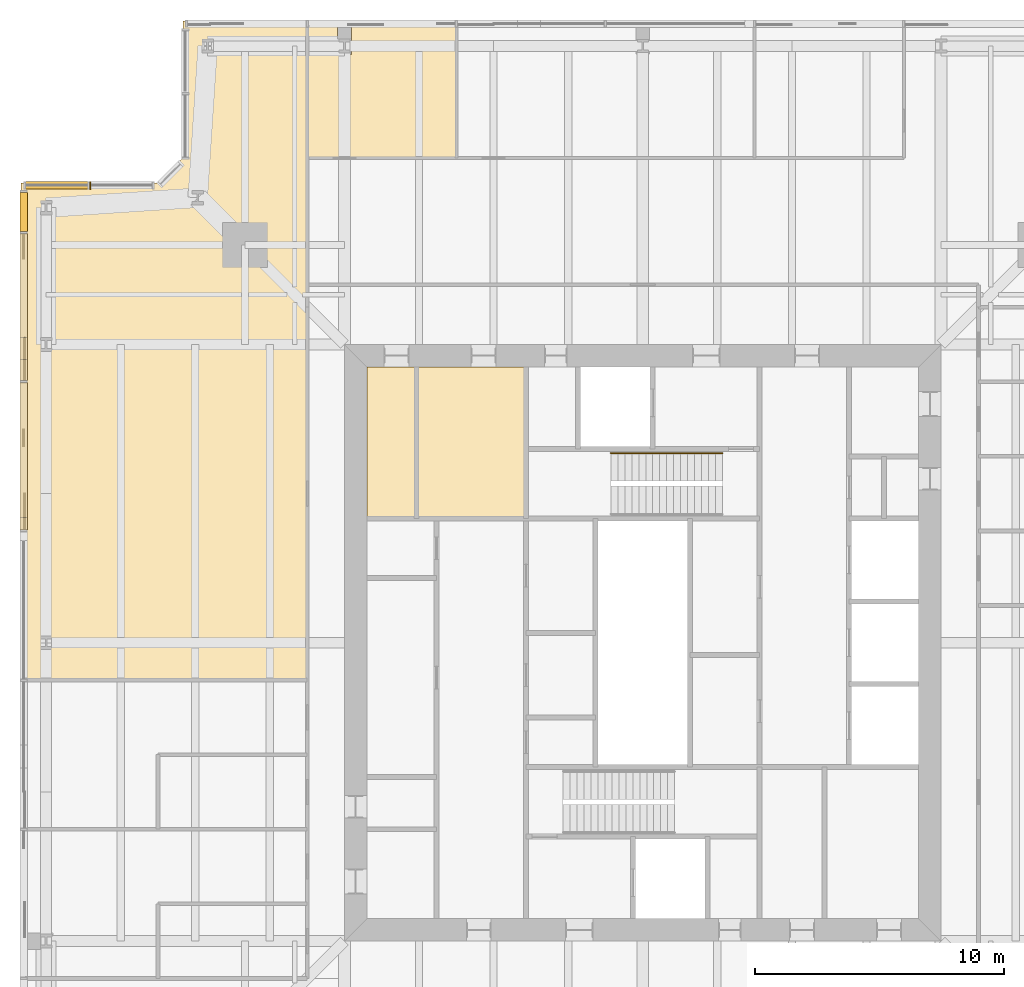
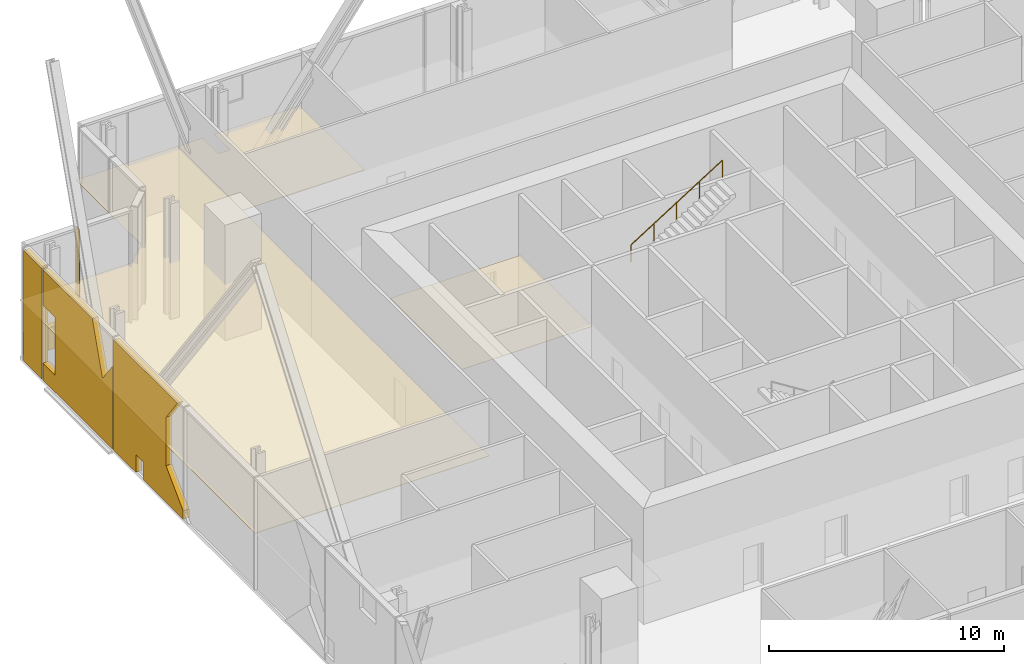
# One storey, part 17 of 20: 9 coverings, 1 railing.
"""IFC4 building model written with IfcOpenShell, lengths in metres."""

from ifc_helpers import new_model, si_unit, direction, frame, origin, origin_2d, place, context, subcontext, project, spatial, polyline, circle, outline, extrude, material, layer, layer_set, type_object, element, save


model = new_model("IFC4")

# Units and contexts
model_context = context("Model", 3, precision=1e-05, world=origin(), true_north=direction((0.0, 1.0)))
body_context = subcontext(model_context, "Body", "Model", "MODEL_VIEW")
ifc_project = project(units=[si_unit("LENGTHUNIT", "METRE"), si_unit("AREAUNIT", "SQUARE_METRE"), si_unit("VOLUMEUNIT", "CUBIC_METRE"), si_unit("PLANEANGLEUNIT", "RADIAN"), si_unit("MASSUNIT", "GRAM", prefix="KILO")], contexts=[model_context])

# Site, building, storey
site_placement = place(None, origin())
site = spatial("IfcSite", under=ifc_project, at=site_placement, CompositionType="ELEMENT")
building_placement = place(site_placement, origin())
building = spatial("IfcBuilding", under=site, at=building_placement, Name="Fenwick Lantern Interchange", CompositionType="ELEMENT")
storey_placement = place(building_placement, frame((0.0, 0.0, 239.800048828125)))
storey = spatial("IfcBuildingStorey", under=building, at=storey_placement, Name="L56", CompositionType="ELEMENT", Elevation=239.800048828125)

# Coverings
ifc_material_1 = material(Name="Mineral fibre acoustic tile on suspended grid")
ifc_layer_1 = layer(ifc_material_1, 0.02001953125)
ifc_layer_set_1 = layer_set([ifc_layer_1], Name="ACOUSTIC TILE CEILING 20")
covering_type_1 = type_object("IfcCoveringType", Name="ACOUSTIC TILE CEILING 20", PredefinedType="CEILING", material=ifc_layer_set_1)
covering_1_placement = place(storey_placement, frame((0.0, 0.0, 2.89990234375)))
element("IfcCovering", 1, at=covering_1_placement, inside=storey, type_object=covering_type_1, Name="Staff room ceiling", PredefinedType="CEILING", context=body_context, shape_type="SweptSolid", body=[
    extrude(outline(polyline([(17.5, 50.0), (13.27734375, 50.0), (13.27734375, 48.66552734375), (12.72265625, 48.66552734375), (12.72265625, 50.0), (11.5, 50.0), (11.5, 44.5), (17.5, 44.5), (17.5, 50.0)])), origin(), (0.0, 0.0, 1.0), 0.02001953125),
])
covering_2_placement = place(storey_placement, frame((0.0, 0.0, 2.89990234375)))
element("IfcCovering", 2, at=covering_2_placement, inside=storey, type_object=covering_type_1, Name="Hotel administration office ceiling", PredefinedType="CEILING", context=body_context, shape_type="SweptSolid", body=[
    extrude(outline(polyline([(0.0, 43.5), (0.0, 23.5), (11.5, 23.5), (11.5, 50.0), (6.5, 50.0), (6.5, 44.5), (5.5, 43.5), (0.0, 43.5)])), origin(), (0.0, 0.0, 1.0), 0.02001953125),
])
ifc_material_2 = material(Name="Granite cladding, warm grey flamed finish, on aluminium carrier frame", Category="masonry")
ifc_layer_2 = layer(ifc_material_2, 0.300048828125)
ifc_layer_set_2 = layer_set([ifc_layer_2], Name="BRACE CASING PANEL 300")
covering_type_2 = type_object("IfcCoveringType", Name="BRACE CASING PANEL 300", PredefinedType="CLADDING", material=ifc_layer_set_2)
covering_3_placement = place(storey_placement, frame((5.54150390625, 43.39990234375, 0.0), z_axis=(0.0, 0.0, 1.0), x_axis=(-1.0, 0.0, 0.0)))
element("IfcCovering", 3, at=covering_3_placement, inside=storey, type_object=covering_type_2, Name="Brace casing 12 bay 00a", PredefinedType="CLADDING", context=body_context, shape_type="SweptSolid", body=[
    extrude(outline(polyline([(2.741455078125, 0.0), (2.78076171875, 0.0), (2.78076171875, 5.72998046875), (2.741455078125, 5.72998046875), (2.741455078125, 0.0)])), frame((0.0, 0.14990234375, 0.0), z_axis=(0.0, -1.0, 0.0), x_axis=(1.0, 0.0, 0.0)), (0.0, 0.0, 1.0), 0.300048828125),
])
covering_4_placement = place(storey_placement, frame((5.54150390625, 43.39990234375, 0.0), z_axis=(0.0, 0.0, 1.0), x_axis=(-1.0, 0.0, 0.0)))
element("IfcCovering", 4, at=covering_4_placement, inside=storey, type_object=covering_type_2, Name="Brace casing 12 bay 01a", PredefinedType="CLADDING", context=body_context, shape_type="SweptSolid", body=[
    extrude(outline(polyline([(2.860595703125, 0.0), (5.361328125, 0.0), (5.361328125, 1.14990234375), (2.860595703125, 1.14990234375), (2.860595703125, 0.0)])), frame((0.0, 0.14990234375, 0.0), z_axis=(0.0, -1.0, 0.0), x_axis=(1.0, 0.0, 0.0)), (0.0, 0.0, 1.0), 0.300048828125),
])
covering_5_placement = place(storey_placement, frame((0.10009765625, 43.39990234375, 0.0), z_axis=(0.0, 0.0, 1.0), x_axis=(0.0, -1.0, 0.0)))
element("IfcCovering", 5, at=covering_5_placement, inside=storey, type_object=covering_type_2, Name="Brace casing 13 bay 00a", PredefinedType="CLADDING", context=body_context, shape_type="SweptSolid", body=[
    extrude(outline(polyline([(0.280029296875, 0.0), (1.860107421875, 0.0), (1.860107421875, 5.72998046875), (0.280029296875, 5.72998046875), (0.280029296875, 0.0)])), frame((0.0, 0.14990234375, 0.0), z_axis=(0.0, -1.0, 0.0), x_axis=(1.0, 0.0, 0.0)), (0.0, 0.0, 1.0), 0.300048828125),
])
covering_6_placement = place(storey_placement, frame((0.10009765625, 43.39990234375, 0.0), z_axis=(0.0, 0.0, 1.0), x_axis=(0.0, -1.0, 0.0)))
element("IfcCovering", 6, at=covering_6_placement, inside=storey, type_object=covering_type_2, Name="Brace casing 13 bay 01a", PredefinedType="CLADDING", context=body_context, shape_type="SweptSolid", body=[
    extrude(outline(polyline([(1.93994140625, 0.0), (7.860107421875, 0.0), (7.860107421875, 4.320068359375), (7.0, 3.152587890625), (6.1298828125, 5.72998046875), (1.93994140625, 5.72998046875), (1.93994140625, 3.8798828125), (2.955078125, 3.8798828125), (2.955078125, 0.879150390625), (1.93994140625, 0.879150390625), (1.93994140625, 0.0)])), frame((0.0, 0.14990234375, 0.0), z_axis=(0.0, -1.0, 0.0), x_axis=(1.0, 0.0, 0.0)), (0.0, 0.0, 1.0), 0.300048828125),
])
covering_7_placement = place(storey_placement, frame((0.10009765625, 43.39990234375, 0.0), z_axis=(0.0, 0.0, 1.0), x_axis=(0.0, -1.0, 0.0)))
element("IfcCovering", 7, at=covering_7_placement, inside=storey, type_object=covering_type_2, Name="Brace casing 13 bay 02a", PredefinedType="CLADDING", context=body_context, shape_type="SweptSolid", body=[
    extrude(outline(polyline([(7.93994140625, 0.0), (9.8291015625, 0.0), (9.8291015625, 0.923095703125), (10.504150390625, 0.923095703125), (10.504150390625, 0.0), (13.860107421875, 0.0), (13.860107421875, 0.435546875), (12.39990234375, 1.8955078125), (12.39990234375, 4.413330078125), (13.36962890625, 5.72998046875), (7.93994140625, 5.72998046875), (7.93994140625, 0.0)])), frame((0.0, 0.14990234375, 0.0), z_axis=(0.0, -1.0, 0.0), x_axis=(1.0, 0.0, 0.0)), (0.0, 0.0, 1.0), 0.300048828125),
])

# Railing
ifc_material_3 = material(Name="Stainless steel handrail", Category="steel")
railing_type = type_object("IfcRailingType", Name="HANDRAIL 900", PredefinedType="HANDRAIL", material=ifc_material_3)
railing_placement = place(storey_placement, frame((23.719970703125, 32.6259765625, 3.176513671875)))
element("IfcRailing", 8, at=railing_placement, inside=storey, type_object=railing_type, Name="L56/STAIR/ST2/HR2", PredefinedType="HANDRAIL", context=body_context, shape_type="SweptSolid", body=[
    extrude(circle(Radius=0.02392578125, at=origin_2d()), frame((0.0, 0.0, 0.8759765625), z_axis=(0.845997938375, 0.0, 0.533186166611), x_axis=(0.0, 1.0, 0.0)), (0.0, 0.0, 1.0), 5.29541015625),
    extrude(circle(Radius=0.02099609375, at=origin_2d()), origin(), (0.0, 0.0, 1.0), 0.851806640625),
    extrude(circle(Radius=0.02099609375, at=origin_2d()), frame((1.1201171875, 0.0, 0.705810546875)), (0.0, 0.0, 1.0), 0.851806640625),
    extrude(circle(Radius=0.02099609375, at=origin_2d()), frame((2.239990234375, 0.0, 1.41162109375)), (0.0, 0.0, 1.0), 0.851806640625),
    extrude(circle(Radius=0.02099609375, at=origin_2d()), frame((3.35986328125, 0.0, 2.11767578125)), (0.0, 0.0, 1.0), 0.851806640625),
    extrude(circle(Radius=0.02099609375, at=origin_2d()), frame((4.47998046875, 0.0, 2.823486328125)), (0.0, 0.0, 1.0), 0.851806640625),
])

# Coverings
ifc_material_4 = material(Name="Moisture resistant gypsum board on suspended frame, painted")
ifc_layer_3 = layer(ifc_material_4, 0.014892578125)
ifc_layer_set_3 = layer_set([ifc_layer_3], Name="MOISTURE RESISTANT CEILING 15")
covering_type_3 = type_object("IfcCoveringType", Name="MOISTURE RESISTANT CEILING 15", PredefinedType="CEILING", material=ifc_layer_set_3)
covering_8_placement = place(storey_placement, frame((0.0, 0.0, 2.599853515625)))
element("IfcCovering", 9, at=covering_8_placement, inside=storey, type_object=covering_type_3, Name="Women's WC ceiling", PredefinedType="CEILING", context=body_context, shape_type="SweptSolid", body=[
    extrude(outline(polyline([(20.300048828125, 36.10009765625), (15.89990234375, 36.10009765625), (15.89990234375, 30.0), (20.300048828125, 30.0), (20.300048828125, 36.10009765625)])), origin(), (0.0, 0.0, 1.0), 0.01513671875),
])
covering_9_placement = place(storey_placement, frame((0.0, 0.0, 2.599853515625)))
element("IfcCovering", 10, at=covering_9_placement, inside=storey, type_object=covering_type_3, Name="Men's WC ceiling", PredefinedType="CEILING", context=body_context, shape_type="SweptSolid", body=[
    extrude(outline(polyline([(15.89990234375, 36.10009765625), (13.89990234375, 36.10009765625), (13.89990234375, 30.0), (15.89990234375, 30.0), (15.89990234375, 36.10009765625)])), origin(), (0.0, 0.0, 1.0), 0.01513671875),
])

save(model, "model.ifc")
